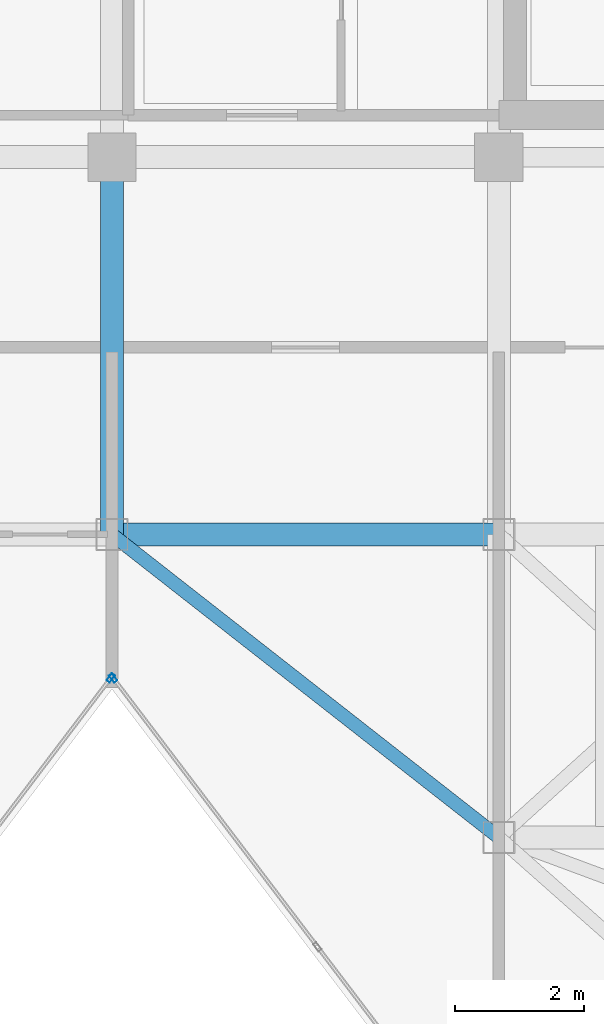
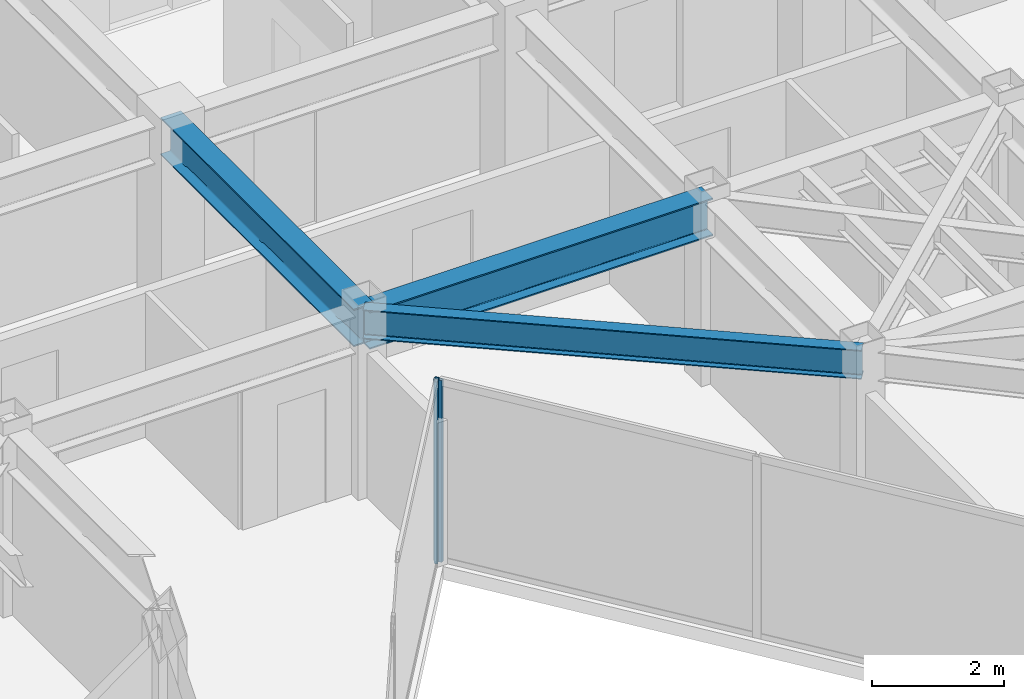
# One storey, part 7 of 21: 3 beams, 2 members, 2 elements without a shape of their own.
"""IFC4 building model written with IfcOpenShell, lengths in metres."""

from ifc_helpers import new_model, si_unit, direction, frame, origin, origin_2d, place, context, subcontext, project, spatial, hollow_rectangle, i_section, extrude, material, layer, layer_set, material_profile, profile_set, type_object, element, aggregate, save


model = new_model("IFC4")

# Units and contexts
model_context = context("Model", 3, precision=1e-05, world=origin(), true_north=direction((0.0, 1.0)))
body_context = subcontext(model_context, "Body", "Model", "MODEL_VIEW")
ifc_project = project(units=[si_unit("LENGTHUNIT", "METRE"), si_unit("AREAUNIT", "SQUARE_METRE"), si_unit("VOLUMEUNIT", "CUBIC_METRE"), si_unit("PLANEANGLEUNIT", "RADIAN"), si_unit("MASSUNIT", "GRAM", prefix="KILO")], contexts=[model_context])

# Site, building, storey
site_placement = place(None, origin())
site = spatial("IfcSite", under=ifc_project, at=site_placement, CompositionType="ELEMENT")
building_placement = place(site_placement, origin())
building = spatial("IfcBuilding", under=site, at=building_placement, Name="Kravanh Interchange Tower", CompositionType="ELEMENT")
storey_placement = place(building_placement, frame((0.0, 0.0, 231.0)))
storey = spatial("IfcBuildingStorey", under=building, at=storey_placement, Name="L55", CompositionType="ELEMENT", Elevation=231.0)

# Curtain wall, member
ifc_material_1 = material(Name="Anodised Bronze Aluminium", Category="aluminium")
ifc_layer = layer(ifc_material_1, 0.179931640625)
ifc_layer_set = layer_set([ifc_layer], Name="Unitised Curtain Wall System CW-HTL Luxury Hotel")
curtain_wall_type = type_object("IfcCurtainWallType", Name="Unitised Curtain Wall System CW-HTL Luxury Hotel", PredefinedType="NOTDEFINED", material=ifc_layer_set)
curtain_wall_1_placement = place(storey_placement, origin())
curtain_wall_1 = element("IfcCurtainWall", 1, at=curtain_wall_1_placement, inside=storey, type_object=curtain_wall_type, Name="L55 Unitised Curtain Wall CW-L55-04", PredefinedType="NOTDEFINED")
ifc_material_2 = material(Name="Anodised Bronze Aluminium", Category="aluminium")
ifc_material_profile_1 = material_profile(ifc_material_2, hollow_rectangle(XDim=0.06005859375, YDim=0.139892578125, WallThickness=0.00390625, at=origin_2d()), Name="ALU60X140X4")
ifc_profile_set_1 = profile_set([ifc_material_profile_1], Name="Anodised Bronze Aluminium")
member_type = type_object("IfcMemberType", Name="Curtain Wall Mullion ALU60X140X4 Bronze", PredefinedType="MULLION", material=ifc_profile_set_1)
member_1_placement = place(storey_placement, frame((44.818115234375, 29.2744140625, 0.0), z_axis=(0.0, 0.0, 1.0), x_axis=(-0.79616243806, -0.605082946564, 0.0)))
member_1 = element("IfcMember", 2, at=member_1_placement, type_object=member_type, Name="CW-HTL mullion 4", PredefinedType="MULLION", context=body_context, shape_type="SweptSolid", body=[
    extrude(hollow_rectangle(XDim=0.06005859375, YDim=0.139892578125, WallThickness=0.00390625, at=origin_2d()), origin(), (0.0, 0.0, 1.0), 3.360107421875),
])
aggregate(curtain_wall_1, [member_1])

curtain_wall_2_placement = place(storey_placement, origin())
curtain_wall_2 = element("IfcCurtainWall", 3, at=curtain_wall_2_placement, inside=storey, type_object=curtain_wall_type, Name="L55 Unitised Curtain Wall CW-L55-05", PredefinedType="NOTDEFINED")
member_2_placement = place(storey_placement, frame((44.78173828125, 29.2744140625, 0.0), z_axis=(0.0, 0.0, 1.0), x_axis=(0.79616243806, -0.605082946564, 0.0)))
member_2 = element("IfcMember", 4, at=member_2_placement, type_object=member_type, Name="CW-HTL mullion 1", PredefinedType="MULLION", context=body_context, shape_type="SweptSolid", body=[
    extrude(hollow_rectangle(XDim=0.06005859375, YDim=0.139892578125, WallThickness=0.00390625, at=origin_2d()), origin(), (0.0, 0.0, 1.0), 3.360107421875),
])
aggregate(curtain_wall_2, [member_2])

# Beams
ifc_material_3 = material(Name="Structural Steel S355", Category="steel")
ifc_material_profile_2 = material_profile(ifc_material_3, i_section(OverallWidth=0.35498046875, OverallDepth=0.696044921875, WebThickness=0.015380859375, FlangeThickness=0.02490234375, FilletRadius=0.02392578125, at=origin_2d()), Name="W27X146")
ifc_profile_set_2 = profile_set([ifc_material_profile_2], Name="Structural Steel S355")
beam_type_1 = type_object("IfcBeamType", Name="Floor Beam W27X146 Structural Steel S355", PredefinedType="BEAM", material=ifc_profile_set_2)
beam_1_placement = place(storey_placement, frame((44.800048828125, 31.5, 3.011962890625), z_axis=(0.0, 1.0, 0.0), x_axis=(-1.0, 0.0, 0.0)))
element("IfcBeam", 5, at=beam_1_placement, inside=storey, type_object=beam_type_1, Name="L55 Primary Floor Girder 1", PredefinedType="BEAM", context=body_context, shape_type="SweptSolid", body=[
    extrude(i_section(OverallWidth=0.35498046875, OverallDepth=0.696044921875, WebThickness=0.015380859375, FlangeThickness=0.02490234375, FilletRadius=0.02392578125, at=origin_2d()), origin(), (0.0, 0.0, 1.0), 5.85009765625),
])
beam_2_placement = place(storey_placement, frame((44.800048828125, 31.5, 3.011962890625), z_axis=(1.0, 0.0, 0.0), x_axis=(0.0, 1.0, 0.0)))
element("IfcBeam", 6, at=beam_2_placement, inside=storey, type_object=beam_type_1, Name="L55 Primary Floor Girder 2", PredefinedType="BEAM", context=body_context, shape_type="SweptSolid", body=[
    extrude(i_section(OverallWidth=0.35498046875, OverallDepth=0.696044921875, WebThickness=0.015380859375, FlangeThickness=0.02490234375, FilletRadius=0.02392578125, at=origin_2d()), origin(), (0.0, 0.0, 1.0), 6.0),
])
ifc_material_4 = material(Name="Structural Steel S355", Category="steel")
ifc_material_profile_3 = material_profile(ifc_material_4, i_section(OverallWidth=0.2099609375, OverallDepth=0.537109375, WebThickness=0.010986328125, FlangeThickness=0.017333984375, FilletRadius=0.02001953125, at=origin_2d()), Name="W21X68")
ifc_profile_set_3 = profile_set([ifc_material_profile_3], Name="Structural Steel S355")
beam_type_2 = type_object("IfcBeamType", Name="Floor Spandrel W21X68 Structural Steel S355", PredefinedType="SPANDREL", material=ifc_profile_set_3)
beam_3_placement = place(storey_placement, frame((44.800048828125, 31.5, 3.091552734375), z_axis=(0.787231163579, -0.616658004967, 0.0), x_axis=(0.616658004967, 0.787231163579, 0.0)))
element("IfcBeam", 7, at=beam_3_placement, inside=storey, type_object=beam_type_2, Name="L55 Perimeter Spandrel 4", PredefinedType="SPANDREL", context=body_context, shape_type="SweptSolid", body=[
    extrude(i_section(OverallWidth=0.2099609375, OverallDepth=0.537109375, WebThickness=0.010986328125, FlangeThickness=0.017333984375, FilletRadius=0.02001953125, at=origin_2d()), origin(), (0.0, 0.0, 1.0), 7.62158203125),
])

save(model, "model.ifc")
